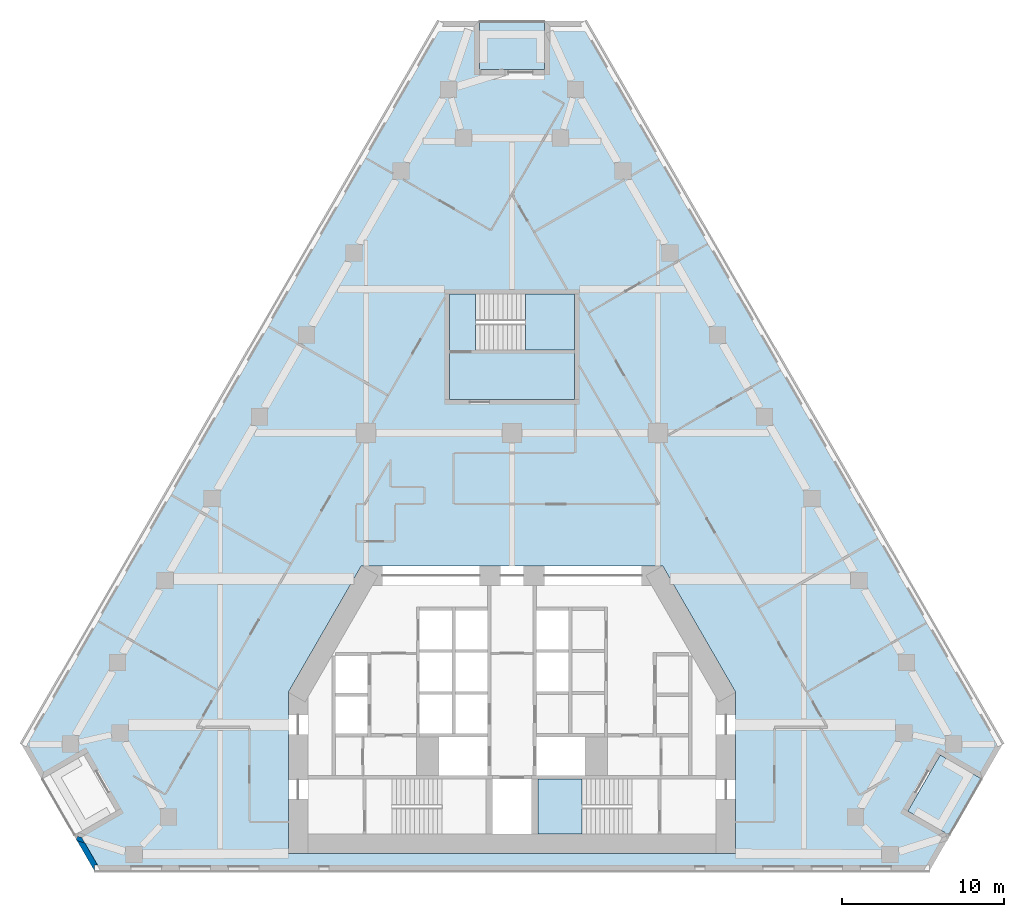
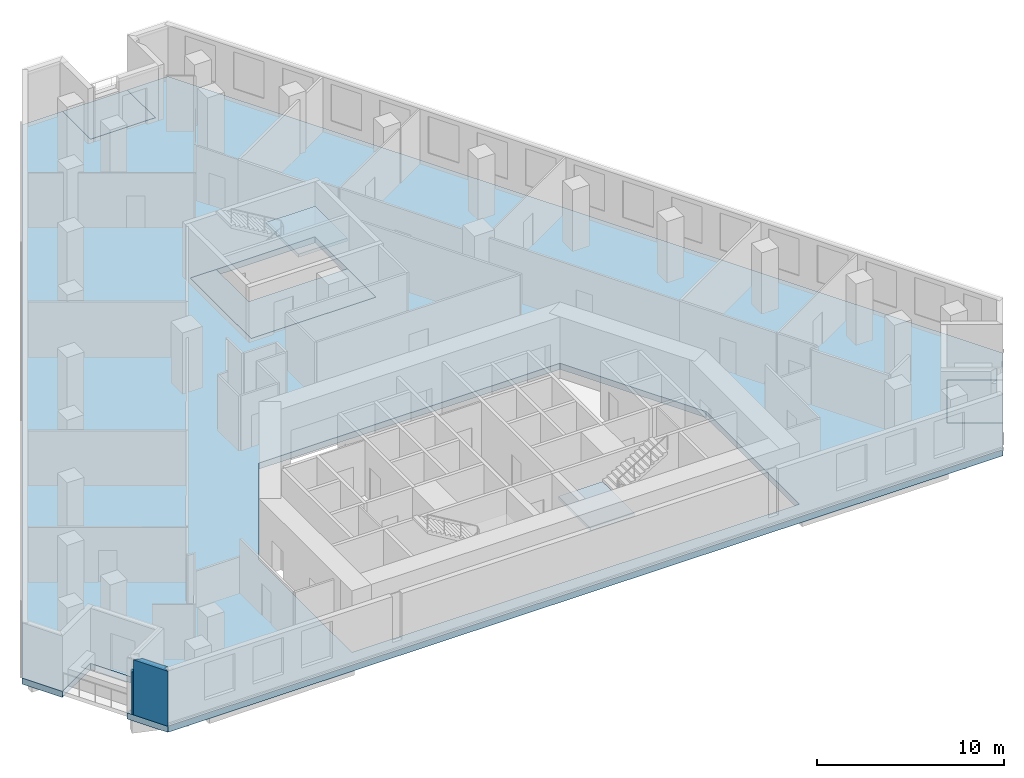
# One storey, part 2 of 10: 6 slabs, 2 walls, 2 elements without a shape of their own.
"""IFC4 building model written with IfcOpenShell, lengths in metres."""

import ifcopenshell
import ifcopenshell.guid

model = None  # the IFC model being written
_history = None  # IfcOwnerHistory: only IFC2X3 demands one
_inside = {}  # id of a spatial element -> (the spatial element, [elements in it])
_under = {}  # id of a project, library or spatial element -> (it, [spatial elements below it])
_declared = {}  # id of a project -> (the project, [libraries it declares])
_typed = {}  # id of a type object -> (the type object, [elements of that type])
_made_of = {}  # id of a material, layer set ... -> (it, [elements and type objects made of it])


def new_model(schema):
    """Start an empty IFC model of exactly this schema.

    Asked for "IFC4X3", IfcOpenShell would pick the latest addendum, in which some entities
    have other attributes; the version numbers below select the first issue.
    IFC2X3 requires an IfcOwnerHistory on every rooted entity: one is made here for all.
    """
    global model, _history
    if schema == "IFC4X3":
        model = ifcopenshell.file(schema_version=(4, 3, 0, 0))
    else:
        model = ifcopenshell.file(schema=schema)
    _inside.clear()
    _under.clear()
    _declared.clear()
    _typed.clear()
    _made_of.clear()
    _history = None
    if model.schema == "IFC2X3":
        org = make("IfcOrganization", Name="unknown")
        user = make(
            "IfcPersonAndOrganization",
            ThePerson=make("IfcPerson", FamilyName="unknown"),
            TheOrganization=org,
        )
        app = make(
            "IfcApplication",
            ApplicationDeveloper=org,
            Version="unknown",
            ApplicationFullName="unknown",
            ApplicationIdentifier="unknown",
        )
        _history = make(
            "IfcOwnerHistory",
            OwningUser=user,
            OwningApplication=app,
            ChangeAction="ADDED",
            CreationDate=0,
        )
    return model


def make(cls, **values):
    """One entity of the class cls with the attributes given. An attribute that is None is left unset."""
    return model.create_entity(
        cls, **{name: value for name, value in values.items() if value is not None}
    )


def rooted(cls, **values):
    """An entity with a GlobalId (a new one), such as an element, a storey or a relation."""
    return make(cls, GlobalId=ifcopenshell.guid.new(), OwnerHistory=_history, **values)


def si_unit(unit_type, name, prefix=None):
    """IfcSIUnit, for example si_unit("LENGTHUNIT", "METRE", prefix="MILLI")."""
    return make("IfcSIUnit", UnitType=unit_type, Prefix=prefix, Name=name)


def assignment(units):
    """IfcUnitAssignment: the units of a project."""
    return None if units is None else make("IfcUnitAssignment", Units=units)


def point(xyz):
    """IfcCartesianPoint."""
    return None if xyz is None else make("IfcCartesianPoint", Coordinates=xyz)


def direction(xyz):
    """IfcDirection."""
    return None if xyz is None else make("IfcDirection", DirectionRatios=xyz)


def frame(location, z_axis=None, x_axis=None):
    """IfcAxis2Placement3D, a coordinate frame: its origin and axes. An axis left out is left unset."""
    return make(
        "IfcAxis2Placement3D",
        Location=point(location),
        Axis=direction(z_axis),
        RefDirection=direction(x_axis),
    )


def origin():
    """The frame at (0, 0, 0) with its axes left unset."""
    return frame((0.0, 0.0, 0.0))


def place(relative_to, where):
    """IfcLocalPlacement: puts the frame where relative to a parent placement (None: the world)."""
    return make(
        "IfcLocalPlacement", PlacementRelTo=relative_to, RelativePlacement=where
    )


def context(
    kind, dimensions, precision=None, world=None, true_north=None, identifier=None
):
    """IfcGeometricRepresentationContext, for example the 3D "Model" context."""
    return make(
        "IfcGeometricRepresentationContext",
        ContextIdentifier=identifier,
        ContextType=kind,
        CoordinateSpaceDimension=dimensions,
        Precision=precision,
        WorldCoordinateSystem=world,
        TrueNorth=true_north,
    )


def subcontext(parent, identifier, kind, view, scale=None):
    """IfcGeometricRepresentationSubContext, for example "Body" below "Model"."""
    return make(
        "IfcGeometricRepresentationSubContext",
        ContextIdentifier=identifier,
        ContextType=kind,
        ParentContext=parent,
        TargetScale=scale,
        TargetView=view,
    )


def project(units=None, contexts=None):
    """IfcProject with its units and contexts."""
    return rooted(
        "IfcProject",
        Name="project",
        RepresentationContexts=contexts,
        UnitsInContext=assignment(units),
    )


def spatial(cls, under=None, at=None, **own):
    """A site, building, storey or space (cls), placed at a placement, below another one or the project."""
    s = rooted(cls, ObjectPlacement=at, **own)
    if under is not None:
        _under.setdefault(under.id(), (under, []))[1].append(s)
    return s


def polyline(points):
    """IfcPolyline through the points."""
    return make("IfcPolyline", Points=[point(p) for p in points])


def outline(outer, holes=None, kind="AREA"):
    """IfcArbitraryClosedProfileDef: a profile drawn as a closed curve; with holes, ...WithVoids."""
    if holes is None:
        return make("IfcArbitraryClosedProfileDef", ProfileType=kind, OuterCurve=outer)
    return make(
        "IfcArbitraryProfileDefWithVoids",
        ProfileType=kind,
        OuterCurve=outer,
        InnerCurves=holes,
    )


def extrude(swept, where, along, depth):
    """IfcExtrudedAreaSolid: the profile swept, set in the frame where, extruded along a direction by depth."""
    return make(
        "IfcExtrudedAreaSolid",
        SweptArea=swept,
        Position=where,
        ExtrudedDirection=direction(along),
        Depth=depth,
    )


def shape(context_of_items, identifier, shape_type, items):
    """IfcShapeRepresentation: the items that make up one representation, for example the "Body"."""
    return make(
        "IfcShapeRepresentation",
        ContextOfItems=context_of_items,
        RepresentationIdentifier=identifier,
        RepresentationType=shape_type,
        Items=items,
    )


def material(Name=None, Category=None):
    """IfcMaterial."""
    return make("IfcMaterial", Name=Name, Category=Category)


def layer(
    of_material, thickness, ventilated=None, Name=None, Category=None, Priority=None
):
    """IfcMaterialLayer: one layer of a wall or slab, of a material (None: an air gap)."""
    return make(
        "IfcMaterialLayer",
        Material=of_material,
        LayerThickness=thickness,
        IsVentilated=ventilated,
        Name=Name,
        Category=Category,
        Priority=Priority,
    )


def layer_set(layers, Name=None):
    """IfcMaterialLayerSet."""
    return make("IfcMaterialLayerSet", MaterialLayers=layers, LayerSetName=Name)


def made_of(thing, what):
    """Note that an element or type object is made of a material, layer set ...; save() writes the relation."""
    if what is not None:
        _made_of.setdefault(what.id(), (what, []))[1].append(thing)
    return thing


def type_object(cls, material=None, **own):
    """A type object (cls), such as IfcWallType, which elements share."""
    return made_of(rooted(cls, **own), material)


def element(
    cls,
    number,
    at=None,
    inside=None,
    cuts=None,
    type_object=None,
    material=None,
    context=None,
    identifier="Body",
    shape_type=None,
    held_by="IfcProductDefinitionShape",
    body=None,
    shapes=None,
    **own,
):
    """One element of the class cls, such as IfcWall. Its Tag is "e" and its number.

    at: its placement. inside: the storey or other place that contains it. cuts: it is an
    opening in that element (IfcRelVoidsElement). A single representation is given by context,
    identifier, shape_type and body (its items); several are given by shapes. held_by: the class
    of the entity that holds the representations. save() writes the other relations.
    """
    e = rooted(cls, Tag="e%d" % number, ObjectPlacement=at, **own)
    if body is not None:
        shapes = [shape(context, identifier, shape_type, body)]
    if shapes is not None:
        e.Representation = make(held_by, Representations=shapes)
    if inside is not None:
        _inside.setdefault(inside.id(), (inside, []))[1].append(e)
    if cuts is not None:
        rooted(
            "IfcRelVoidsElement", RelatingBuildingElement=cuts, RelatedOpeningElement=e
        )
    if type_object is not None:
        _typed.setdefault(type_object.id(), (type_object, []))[1].append(e)
    return made_of(e, material)


def aggregate(whole, parts):
    """IfcRelAggregates: a whole, such as a stair, and the parts it consists of."""
    return rooted("IfcRelAggregates", RelatingObject=whole, RelatedObjects=parts)


def save(model, path):
    """Write the relations noted so far, then the file.

    IfcRelAggregates (storeys below a building ...), IfcRelContainedInSpatialStructure (elements
    in a storey), IfcRelDefinesByType, IfcRelAssociatesMaterial and IfcRelDeclares: one each for
    every whole, place, type object, material and project.
    """
    for whole, parts in _under.values():
        aggregate(whole, parts)
    for where, things in _inside.values():
        rooted(
            "IfcRelContainedInSpatialStructure",
            RelatedElements=things,
            RelatingStructure=where,
        )
    for kind, things in _typed.values():
        rooted("IfcRelDefinesByType", RelatedObjects=things, RelatingType=kind)
    for what, things in _made_of.values():
        rooted("IfcRelAssociatesMaterial", RelatedObjects=things, RelatingMaterial=what)
    for by, libraries in _declared.values():
        rooted("IfcRelDeclares", RelatingContext=by, RelatedDefinitions=libraries)
    model.write(path)


model = new_model("IFC4")

# Units and contexts
model_context = context("Model", 3, precision=1e-05, world=origin(), true_north=direction((0.0, 1.0)))
body_context = subcontext(model_context, "Body", "Model", "MODEL_VIEW")
ifc_project = project(units=[si_unit("LENGTHUNIT", "METRE"), si_unit("AREAUNIT", "SQUARE_METRE"), si_unit("VOLUMEUNIT", "CUBIC_METRE"), si_unit("PLANEANGLEUNIT", "RADIAN"), si_unit("MASSUNIT", "GRAM", prefix="KILO")], contexts=[model_context])

# Site, building, storey
site_placement = place(None, origin())
site = spatial("IfcSite", under=ifc_project, at=site_placement, CompositionType="ELEMENT")
building_placement = place(site_placement, origin())
building = spatial("IfcBuilding", under=site, at=building_placement, Name="Fogline Exchange Tower", CompositionType="ELEMENT")
storey_placement = place(building_placement, frame((0.0, 0.0, 116.10009765625)))
storey = spatial("IfcBuildingStorey", under=building, at=storey_placement, Name="L25", CompositionType="ELEMENT", Elevation=116.10009765625)

# Slabs
ifc_material_1 = material(Name="Concrete C40", Category="concrete")
ifc_layer_1 = layer(ifc_material_1, 0.25)
ifc_layer_set_1 = layer_set([ifc_layer_1], Name="DK1")
slab_type_1 = type_object("IfcSlabType", Name="DK1", PredefinedType="FLOOR", material=ifc_layer_set_1)
slab_1_placement = place(storey_placement, frame((0.0, 0.0, -0.25)))
element("IfcSlab", 1, at=slab_1_placement, inside=storey, type_object=slab_type_1, Name="Balcony L25 SE", PredefinedType="FLOOR", context=body_context, shape_type="SweptSolid", body=[
    extrude(outline(polyline([(27.015625, 2.1650390625), (29.015625, 5.629150390625), (26.41748046875, 7.129150390625), (24.41748046875, 3.6650390625), (27.015625, 2.1650390625)])), origin(), (0.0, 0.0, 1.0), 0.25),
])
slab_2_placement = place(storey_placement, frame((0.0, 0.0, -0.25)))
element("IfcSlab", 2, at=slab_2_placement, inside=storey, type_object=slab_type_1, Name="Balcony L25 N", PredefinedType="FLOOR", context=body_context, shape_type="SweptSolid", body=[
    extrude(outline(polyline([(2.0, 52.421630859375), (-2.0, 52.421630859375), (-2.0, 49.421630859375), (2.0, 49.421630859375), (2.0, 52.421630859375)])), origin(), (0.0, 0.0, 1.0), 0.25),
])
ifc_layer_2 = layer(ifc_material_1, 0.39990234375)
ifc_layer_set_2 = layer_set([ifc_layer_2], Name="S03")
slab_type_2 = type_object("IfcSlabType", Name="S03", PredefinedType="FLOOR", material=ifc_layer_set_2)
slab_3_placement = place(storey_placement, frame((0.0, 0.0, -0.400146484375)))
element("IfcSlab", 3, at=slab_3_placement, inside=storey, type_object=slab_type_2, Name="SLAB L25", PredefinedType="FLOOR", context=body_context, shape_type="SweptSolid", body=[
    extrude(outline(polyline([(-2.0, 52.421630859375), (-4.5, 52.421630859375), (-30.265625, 7.794189453125), (-29.015625, 5.629150390625), (-26.41748046875, 7.129150390625), (-24.41748046875, 3.6650390625), (-27.015625, 2.1650390625), (-25.765625, 0.0), (25.765625, 0.0), (27.015625, 2.1650390625), (24.41748046875, 3.6650390625), (26.41748046875, 7.129150390625), (29.015625, 5.629150390625), (30.265625, 7.794189453125), (4.5, 52.421630859375), (2.0, 52.421630859375), (2.0, 49.421630859375), (-2.0, 49.421630859375), (-2.0, 52.421630859375)]), holes=[polyline([(13.800048828125, 10.9990234375), (13.800048828125, 1.050048828125), (-13.800048828125, 1.050048828125), (-13.800048828125, 10.9990234375), (-9.296142578125, 18.800048828125), (9.296142578125, 18.800048828125), (13.800048828125, 10.9990234375)]), polyline([(3.85009765625, 35.556884765625), (3.85009765625, 29.056884765625), (-3.85009765625, 29.056884765625), (-3.85009765625, 35.556884765625), (3.85009765625, 35.556884765625)])]), origin(), (0.0, 0.0, 1.0), 0.400146484375),
])
slab_4_placement = place(storey_placement, frame((0.0, 0.0, -0.400146484375)))
element("IfcSlab", 4, at=slab_4_placement, inside=storey, type_object=slab_type_2, Name="Stair enclosure floor slab", PredefinedType="FLOOR", context=body_context, shape_type="SweptSolid", body=[
    extrude(outline(polyline([(3.85009765625, 29.056884765625), (-3.85009765625, 29.056884765625), (-3.85009765625, 35.556884765625), (-2.239990234375, 35.556884765625), (-2.239990234375, 32.10693359375), (3.85009765625, 32.10693359375), (3.85009765625, 29.056884765625)])), origin(), (0.0, 0.0, 1.0), 0.400146484375),
])

# Stair, slab
stair_type = type_object("IfcStairType", Name="STR24-1667", PredefinedType="HALF_TURN_STAIR", material=ifc_material_1)
stair_1_placement = place(storey_placement, origin())
stair_1 = element("IfcStair", 5, at=stair_1_placement, inside=storey, type_object=stair_type, Name="Stair ST2", PredefinedType="HALF_TURN_STAIR")
ifc_layer_3 = layer(ifc_material_1, 0.199951171875)
ifc_layer_set_3 = layer_set([ifc_layer_3], Name="SL200")
slab_type_3 = type_object("IfcSlabType", Name="SL200", PredefinedType="LANDING", material=ifc_layer_set_3)
slab_5_placement = place(storey_placement, frame((0.0, 0.0, 1.7998046875)))
slab_5 = element("IfcSlab", 6, at=slab_5_placement, type_object=slab_type_3, Name="ST2 landing 1", PredefinedType="LANDING", context=body_context, shape_type="SweptSolid", body=[
    extrude(outline(polyline([(1.60009765625, 2.25), (4.320068359375, 2.25), (4.320068359375, 5.64990234375), (1.60009765625, 5.64990234375), (1.60009765625, 2.25)])), origin(), (0.0, 0.0, 1.0), 0.2001953125),
])
aggregate(stair_1, [slab_5])

stair_2_placement = place(storey_placement, origin())
stair_2 = element("IfcStair", 7, at=stair_2_placement, inside=storey, type_object=stair_type, Name="Stair ST3", PredefinedType="HALF_TURN_STAIR")
slab_6_placement = place(storey_placement, frame((0.0, 0.0, 1.7998046875)))
slab_6 = element("IfcSlab", 8, at=slab_6_placement, type_object=slab_type_3, Name="ST3 landing 1", PredefinedType="LANDING", context=body_context, shape_type="SweptSolid", body=[
    extrude(outline(polyline([(0.830078125, 32.10693359375), (3.85009765625, 32.10693359375), (3.85009765625, 35.556884765625), (0.830078125, 35.556884765625), (0.830078125, 32.10693359375)])), origin(), (0.0, 0.0, 1.0), 0.2001953125),
])
aggregate(stair_2, [slab_6])

# Walls
ifc_material_2 = material(Name="Brick masonry", Category="masonry")
ifc_layer_4 = layer(ifc_material_2, 0.340087890625)
ifc_layer_set_4 = layer_set([ifc_layer_4], Name="FW1")
wall_type = type_object("IfcWallType", Name="FW1", PredefinedType="SOLIDWALL", material=ifc_layer_set_4)
wall_1_placement = place(storey_placement, origin())
element("IfcWall", 9, at=wall_1_placement, inside=storey, type_object=wall_type, Name="Brick wall L25 SW-c2", PredefinedType="SOLIDWALL", context=body_context, shape_type="SweptSolid", body=[
    extrude(outline(polyline([(-26.876708984375, 1.92333984375), (-26.817138671875, 2.112548828125), (-26.55078125, 2.041015625), (-26.34716796875, 1.6884765625), (-26.82861328125, 1.83984375), (-26.876708984375, 1.92333984375)])), origin(), (0.0, 0.0, 1.0), 2.7998046875),
])
wall_2_placement = place(storey_placement, origin())
element("IfcWall", 10, at=wall_2_placement, inside=storey, type_object=wall_type, Name="Brick wall L25 SW-c2", PredefinedType="SOLIDWALL", context=body_context, shape_type="SweptSolid", body=[
    extrude(outline(polyline([(-25.76513671875, 0.33935546875), (-25.76513671875, -0.0009765625), (-25.765625, -0.001220703125), (-26.82861328125, 1.83984375), (-26.34716796875, 1.6884765625), (-25.568359375, 0.33935546875), (-25.76513671875, 0.33935546875)])), origin(), (0.0, 0.0, 1.0), 3.599853515625),
])

save(model, "model.ifc")
